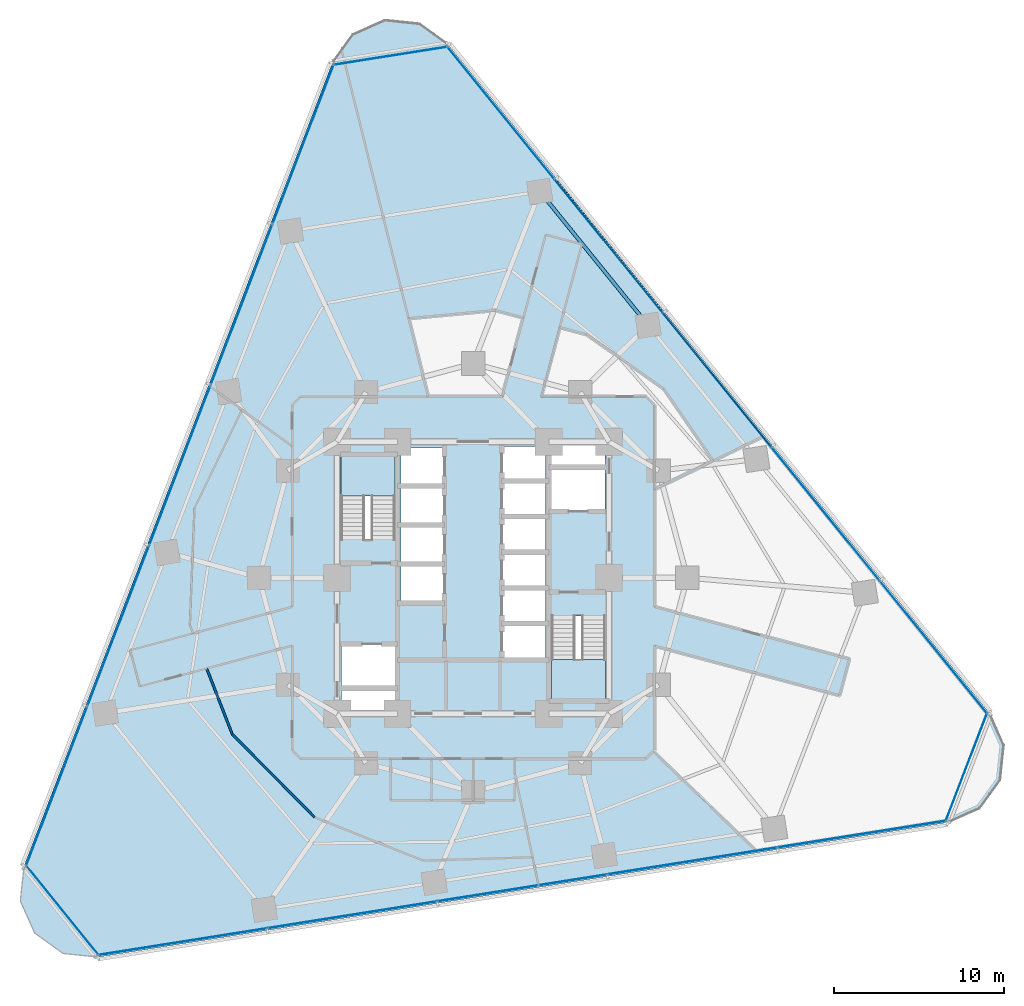
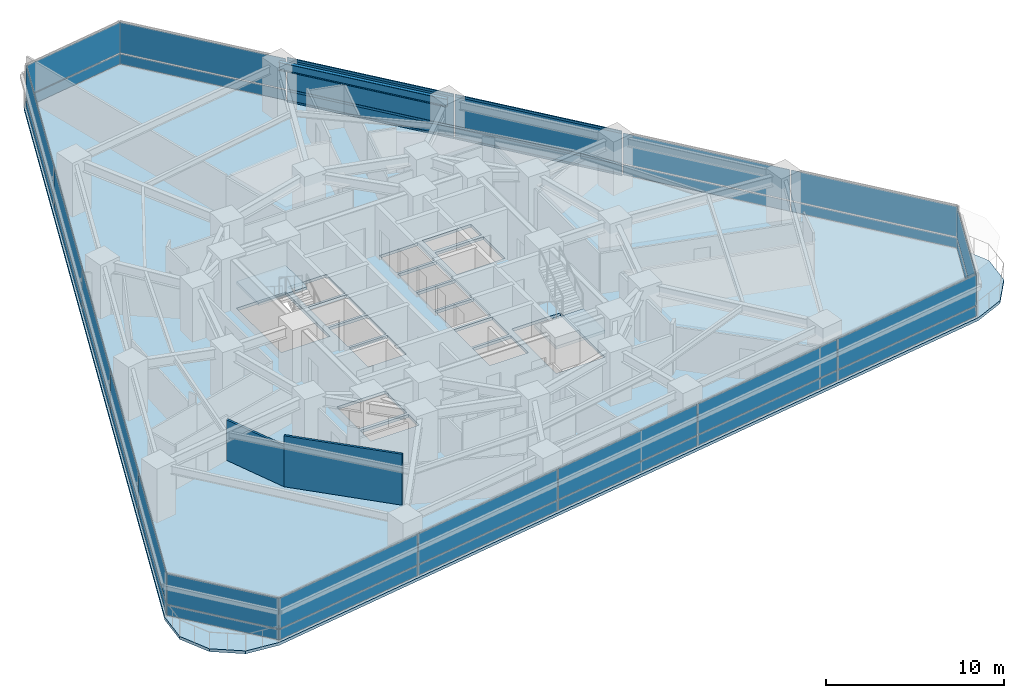
# One storey, part 6 of 14: 36 plates, 6 members, 3 slabs, 2 walls, 1 beam, 8 elements without a shape of their own.
"""IFC4 building model written with IfcOpenShell, lengths in metres."""

import ifcopenshell
import ifcopenshell.guid

model = None  # the IFC model being written
_history = None  # IfcOwnerHistory: only IFC2X3 demands one
_inside = {}  # id of a spatial element -> (the spatial element, [elements in it])
_under = {}  # id of a project, library or spatial element -> (it, [spatial elements below it])
_declared = {}  # id of a project -> (the project, [libraries it declares])
_typed = {}  # id of a type object -> (the type object, [elements of that type])
_made_of = {}  # id of a material, layer set ... -> (it, [elements and type objects made of it])


def new_model(schema):
    """Start an empty IFC model of exactly this schema.

    Asked for "IFC4X3", IfcOpenShell would pick the latest addendum, in which some entities
    have other attributes; the version numbers below select the first issue.
    IFC2X3 requires an IfcOwnerHistory on every rooted entity: one is made here for all.
    """
    global model, _history
    if schema == "IFC4X3":
        model = ifcopenshell.file(schema_version=(4, 3, 0, 0))
    else:
        model = ifcopenshell.file(schema=schema)
    _inside.clear()
    _under.clear()
    _declared.clear()
    _typed.clear()
    _made_of.clear()
    _history = None
    if model.schema == "IFC2X3":
        org = make("IfcOrganization", Name="unknown")
        user = make(
            "IfcPersonAndOrganization",
            ThePerson=make("IfcPerson", FamilyName="unknown"),
            TheOrganization=org,
        )
        app = make(
            "IfcApplication",
            ApplicationDeveloper=org,
            Version="unknown",
            ApplicationFullName="unknown",
            ApplicationIdentifier="unknown",
        )
        _history = make(
            "IfcOwnerHistory",
            OwningUser=user,
            OwningApplication=app,
            ChangeAction="ADDED",
            CreationDate=0,
        )
    return model


def make(cls, **values):
    """One entity of the class cls with the attributes given. An attribute that is None is left unset."""
    return model.create_entity(
        cls, **{name: value for name, value in values.items() if value is not None}
    )


def rooted(cls, **values):
    """An entity with a GlobalId (a new one), such as an element, a storey or a relation."""
    return make(cls, GlobalId=ifcopenshell.guid.new(), OwnerHistory=_history, **values)


def si_unit(unit_type, name, prefix=None):
    """IfcSIUnit, for example si_unit("LENGTHUNIT", "METRE", prefix="MILLI")."""
    return make("IfcSIUnit", UnitType=unit_type, Prefix=prefix, Name=name)


def assignment(units):
    """IfcUnitAssignment: the units of a project."""
    return None if units is None else make("IfcUnitAssignment", Units=units)


def point(xyz):
    """IfcCartesianPoint."""
    return None if xyz is None else make("IfcCartesianPoint", Coordinates=xyz)


def direction(xyz):
    """IfcDirection."""
    return None if xyz is None else make("IfcDirection", DirectionRatios=xyz)


def frame(location, z_axis=None, x_axis=None):
    """IfcAxis2Placement3D, a coordinate frame: its origin and axes. An axis left out is left unset."""
    return make(
        "IfcAxis2Placement3D",
        Location=point(location),
        Axis=direction(z_axis),
        RefDirection=direction(x_axis),
    )


def frame_2d(location, x_axis=None):
    """IfcAxis2Placement2D, a coordinate frame in the plane: its origin and x axis."""
    return make(
        "IfcAxis2Placement2D", Location=point(location), RefDirection=direction(x_axis)
    )


def origin():
    """The frame at (0, 0, 0) with its axes left unset."""
    return frame((0.0, 0.0, 0.0))


def origin_2d():
    """The frame at (0, 0) in the plane with its x axis left unset."""
    return frame_2d((0.0, 0.0))


def place(relative_to, where):
    """IfcLocalPlacement: puts the frame where relative to a parent placement (None: the world)."""
    return make(
        "IfcLocalPlacement", PlacementRelTo=relative_to, RelativePlacement=where
    )


def context(
    kind, dimensions, precision=None, world=None, true_north=None, identifier=None
):
    """IfcGeometricRepresentationContext, for example the 3D "Model" context."""
    return make(
        "IfcGeometricRepresentationContext",
        ContextIdentifier=identifier,
        ContextType=kind,
        CoordinateSpaceDimension=dimensions,
        Precision=precision,
        WorldCoordinateSystem=world,
        TrueNorth=true_north,
    )


def subcontext(parent, identifier, kind, view, scale=None):
    """IfcGeometricRepresentationSubContext, for example "Body" below "Model"."""
    return make(
        "IfcGeometricRepresentationSubContext",
        ContextIdentifier=identifier,
        ContextType=kind,
        ParentContext=parent,
        TargetScale=scale,
        TargetView=view,
    )


def project(units=None, contexts=None):
    """IfcProject with its units and contexts."""
    return rooted(
        "IfcProject",
        Name="project",
        RepresentationContexts=contexts,
        UnitsInContext=assignment(units),
    )


def spatial(cls, under=None, at=None, **own):
    """A site, building, storey or space (cls), placed at a placement, below another one or the project."""
    s = rooted(cls, ObjectPlacement=at, **own)
    if under is not None:
        _under.setdefault(under.id(), (under, []))[1].append(s)
    return s


def polyline(points):
    """IfcPolyline through the points."""
    return make("IfcPolyline", Points=[point(p) for p in points])


def profile(cls, at=None, kind="AREA", **sizes):
    """A parametric profile (cls). Its sizes go by their IFC names, for example OverallWidth=200.0."""
    return make(cls, ProfileType=kind, Position=at, **sizes)


def rectangle(**sizes):
    """IfcRectangleProfileDef."""
    return profile("IfcRectangleProfileDef", **sizes)


def i_section(**sizes):
    """IfcIShapeProfileDef."""
    return profile("IfcIShapeProfileDef", **sizes)


def outline(outer, holes=None, kind="AREA"):
    """IfcArbitraryClosedProfileDef: a profile drawn as a closed curve; with holes, ...WithVoids."""
    if holes is None:
        return make("IfcArbitraryClosedProfileDef", ProfileType=kind, OuterCurve=outer)
    return make(
        "IfcArbitraryProfileDefWithVoids",
        ProfileType=kind,
        OuterCurve=outer,
        InnerCurves=holes,
    )


def extrude(swept, where, along, depth):
    """IfcExtrudedAreaSolid: the profile swept, set in the frame where, extruded along a direction by depth."""
    return make(
        "IfcExtrudedAreaSolid",
        SweptArea=swept,
        Position=where,
        ExtrudedDirection=direction(along),
        Depth=depth,
    )


def shape(context_of_items, identifier, shape_type, items):
    """IfcShapeRepresentation: the items that make up one representation, for example the "Body"."""
    return make(
        "IfcShapeRepresentation",
        ContextOfItems=context_of_items,
        RepresentationIdentifier=identifier,
        RepresentationType=shape_type,
        Items=items,
    )


def material(Name=None, Category=None):
    """IfcMaterial."""
    return make("IfcMaterial", Name=Name, Category=Category)


def layer(
    of_material, thickness, ventilated=None, Name=None, Category=None, Priority=None
):
    """IfcMaterialLayer: one layer of a wall or slab, of a material (None: an air gap)."""
    return make(
        "IfcMaterialLayer",
        Material=of_material,
        LayerThickness=thickness,
        IsVentilated=ventilated,
        Name=Name,
        Category=Category,
        Priority=Priority,
    )


def layer_set(layers, Name=None):
    """IfcMaterialLayerSet."""
    return make("IfcMaterialLayerSet", MaterialLayers=layers, LayerSetName=Name)


def material_profile(
    of_material, cross_section, Name=None, Category=None, Priority=None
):
    """IfcMaterialProfile: a cross section and its material."""
    return make(
        "IfcMaterialProfile",
        Name=Name,
        Material=of_material,
        Profile=cross_section,
        Priority=Priority,
        Category=Category,
    )


def profile_set(profiles, Name=None, composite=None):
    """IfcMaterialProfileSet."""
    return make(
        "IfcMaterialProfileSet",
        Name=Name,
        MaterialProfiles=profiles,
        CompositeProfile=composite,
    )


def made_of(thing, what):
    """Note that an element or type object is made of a material, layer set ...; save() writes the relation."""
    if what is not None:
        _made_of.setdefault(what.id(), (what, []))[1].append(thing)
    return thing


def type_object(cls, material=None, **own):
    """A type object (cls), such as IfcWallType, which elements share."""
    return made_of(rooted(cls, **own), material)


def element(
    cls,
    number,
    at=None,
    inside=None,
    cuts=None,
    type_object=None,
    material=None,
    context=None,
    identifier="Body",
    shape_type=None,
    held_by="IfcProductDefinitionShape",
    body=None,
    shapes=None,
    **own,
):
    """One element of the class cls, such as IfcWall. Its Tag is "e" and its number.

    at: its placement. inside: the storey or other place that contains it. cuts: it is an
    opening in that element (IfcRelVoidsElement). A single representation is given by context,
    identifier, shape_type and body (its items); several are given by shapes. held_by: the class
    of the entity that holds the representations. save() writes the other relations.
    """
    e = rooted(cls, Tag="e%d" % number, ObjectPlacement=at, **own)
    if body is not None:
        shapes = [shape(context, identifier, shape_type, body)]
    if shapes is not None:
        e.Representation = make(held_by, Representations=shapes)
    if inside is not None:
        _inside.setdefault(inside.id(), (inside, []))[1].append(e)
    if cuts is not None:
        rooted(
            "IfcRelVoidsElement", RelatingBuildingElement=cuts, RelatedOpeningElement=e
        )
    if type_object is not None:
        _typed.setdefault(type_object.id(), (type_object, []))[1].append(e)
    return made_of(e, material)


def aggregate(whole, parts):
    """IfcRelAggregates: a whole, such as a stair, and the parts it consists of."""
    return rooted("IfcRelAggregates", RelatingObject=whole, RelatedObjects=parts)


def save(model, path):
    """Write the relations noted so far, then the file.

    IfcRelAggregates (storeys below a building ...), IfcRelContainedInSpatialStructure (elements
    in a storey), IfcRelDefinesByType, IfcRelAssociatesMaterial and IfcRelDeclares: one each for
    every whole, place, type object, material and project.
    """
    for whole, parts in _under.values():
        aggregate(whole, parts)
    for where, things in _inside.values():
        rooted(
            "IfcRelContainedInSpatialStructure",
            RelatedElements=things,
            RelatingStructure=where,
        )
    for kind, things in _typed.values():
        rooted("IfcRelDefinesByType", RelatedObjects=things, RelatingType=kind)
    for what, things in _made_of.values():
        rooted("IfcRelAssociatesMaterial", RelatedObjects=things, RelatingMaterial=what)
    for by, libraries in _declared.values():
        rooted("IfcRelDeclares", RelatingContext=by, RelatedDefinitions=libraries)
    model.write(path)


model = new_model("IFC4")

# Units and contexts
model_context = context("Model", 3, precision=1e-05, world=origin(), true_north=direction((0.0, 1.0)))
body_context = subcontext(model_context, "Body", "Model", "MODEL_VIEW")
ifc_project = project(units=[si_unit("LENGTHUNIT", "METRE"), si_unit("AREAUNIT", "SQUARE_METRE"), si_unit("VOLUMEUNIT", "CUBIC_METRE"), si_unit("PLANEANGLEUNIT", "RADIAN"), si_unit("MASSUNIT", "GRAM", prefix="KILO")], contexts=[model_context])

# Site, building, storey
site_placement = place(None, origin())
site = spatial("IfcSite", under=ifc_project, at=site_placement, CompositionType="ELEMENT")
building_placement = place(site_placement, origin())
building = spatial("IfcBuilding", under=site, at=building_placement, Name="Terralouvre Media Tower", CompositionType="ELEMENT")
storey_placement = place(building_placement, frame((0.0, 0.0, 74.10009765625)))
storey = spatial("IfcBuildingStorey", under=building, at=storey_placement, Name="L18", CompositionType="ELEMENT", Elevation=74.10009765625)

# Curtain wall, members
ifc_material_1 = material(Name="Low-iron laminated double glazing with solar-control coating", Category="glass")
ifc_layer_1 = layer(ifc_material_1, 0.1650390625, Name="Lower Media Tower Unitised Curtain Wall CW-02")
ifc_layer_set_1 = layer_set([ifc_layer_1], Name="Low-iron laminated double glazing with solar-control coating")
curtain_wall_type_1 = type_object("IfcCurtainWallType", Name="Lower Media Tower Unitised Curtain Wall CW-02", PredefinedType="NOTDEFINED", material=ifc_layer_set_1)
curtain_wall_1_placement = place(storey_placement, origin())
curtain_wall_1 = element("IfcCurtainWall", 1, at=curtain_wall_1_placement, inside=storey, type_object=curtain_wall_type_1, Name="L18 Facade Curtain Wall F1", PredefinedType="NOTDEFINED")
ifc_material_2 = material(Name="Anodised extruded aluminium 6063-T6", Category="aluminium")
ifc_material_profile_1 = material_profile(ifc_material_2, rectangle(XDim=0.074951171875, YDim=0.14990234375, at=origin_2d()), Name="ALU 75x150")
ifc_profile_set_1 = profile_set([ifc_material_profile_1], Name="Anodised extruded aluminium 6063-T6")
member_type = type_object("IfcMemberType", Name="Curtain-Wall Horizontal Transom TR-150", PredefinedType="USERDEFINED", material=ifc_profile_set_1)
member_1_placement = place(storey_placement, frame((17.523681640625, 7.72265625, 0.037353515625), z_axis=(-0.629319084722, 0.777147019299, 0.0), x_axis=(-0.777147019299, -0.629319084722, 0.0)))
member_1 = element("IfcMember", 2, at=member_1_placement, type_object=member_type, Name="CW-02 transom 3.1", ObjectType="TRANSOM", PredefinedType="USERDEFINED", context=body_context, shape_type="SweptSolid", body=[
    extrude(rectangle(XDim=0.074951171875, YDim=0.14990234375, at=origin_2d()), origin(), (0.0, 0.0, 1.0), 10.052734375),
])
member_2_placement = place(storey_placement, frame((17.523681640625, 7.72265625, 0.7998046875), z_axis=(-0.629319084722, 0.777147019299, 0.0), x_axis=(-0.777147019299, -0.629319084722, 0.0)))
member_2 = element("IfcMember", 3, at=member_2_placement, type_object=member_type, Name="CW-02 transom 3.2", ObjectType="TRANSOM", PredefinedType="USERDEFINED", context=body_context, shape_type="SweptSolid", body=[
    extrude(rectangle(XDim=0.074951171875, YDim=0.14990234375, at=origin_2d()), origin(), (0.0, 0.0, 1.0), 10.052734375),
])
member_3_placement = place(storey_placement, frame((17.523681640625, 7.72265625, 2.96240234375), z_axis=(-0.629319084722, 0.777147019299, 0.0), x_axis=(-0.777147019299, -0.629319084722, 0.0)))
member_3 = element("IfcMember", 4, at=member_3_placement, type_object=member_type, Name="CW-02 transom 3.3", ObjectType="TRANSOM", PredefinedType="USERDEFINED", context=body_context, shape_type="SweptSolid", body=[
    extrude(rectangle(XDim=0.074951171875, YDim=0.14990234375, at=origin_2d()), origin(), (0.0, 0.0, 1.0), 10.052734375),
])
member_4_placement = place(storey_placement, frame((11.14990234375, 15.593505859375, 0.037353515625), z_axis=(-0.629307207311, 0.777156637253, 0.0), x_axis=(-0.777156637253, -0.629307207311, 0.0)))
member_4 = element("IfcMember", 5, at=member_4_placement, type_object=member_type, Name="CW-02 transom 4.1", ObjectType="TRANSOM", PredefinedType="USERDEFINED", context=body_context, shape_type="SweptSolid", body=[
    extrude(rectangle(XDim=0.074951171875, YDim=0.14990234375, at=origin_2d()), origin(), (0.0, 0.0, 1.0), 10.052978515625),
])
member_5_placement = place(storey_placement, frame((11.14990234375, 15.593505859375, 0.7998046875), z_axis=(-0.629307207311, 0.777156637253, 0.0), x_axis=(-0.777156637253, -0.629307207311, 0.0)))
member_5 = element("IfcMember", 6, at=member_5_placement, type_object=member_type, Name="CW-02 transom 4.2", ObjectType="TRANSOM", PredefinedType="USERDEFINED", context=body_context, shape_type="SweptSolid", body=[
    extrude(rectangle(XDim=0.074951171875, YDim=0.14990234375, at=origin_2d()), origin(), (0.0, 0.0, 1.0), 10.052978515625),
])
member_6_placement = place(storey_placement, frame((11.14990234375, 15.593505859375, 2.96240234375), z_axis=(-0.629307207311, 0.777156637253, 0.0), x_axis=(-0.777156637253, -0.629307207311, 0.0)))
member_6 = element("IfcMember", 7, at=member_6_placement, type_object=member_type, Name="CW-02 transom 4.3", ObjectType="TRANSOM", PredefinedType="USERDEFINED", context=body_context, shape_type="SweptSolid", body=[
    extrude(rectangle(XDim=0.074951171875, YDim=0.14990234375, at=origin_2d()), origin(), (0.0, 0.0, 1.0), 10.052978515625),
])

# Beam
ifc_material_3 = material(Name="Structural steel S355J2", Category="steel")
ifc_material_profile_2 = material_profile(ifc_material_3, i_section(OverallWidth=0.2099609375, OverallDepth=0.550048828125, WebThickness=0.010986328125, FlangeThickness=0.01708984375, at=origin_2d()), Name="IPE 550")
ifc_profile_set_2 = profile_set([ifc_material_profile_2], Name="Structural steel S355J2")
beam_type = type_object("IfcBeamType", Name="Perimeter Spandrel Beam SPB-550 (IPE 550)", PredefinedType="SPANDREL", material=ifc_profile_set_2)
beam_placement = place(storey_placement, frame((10.29541015625, 14.853271484375, 3.21484375), z_axis=(-0.629325814949, 0.777141569239, 0.0), x_axis=(-0.777141569239, -0.629325814949, 0.0)))
element("IfcBeam", 8, at=beam_placement, inside=storey, type_object=beam_type, Name="L18 Framing Beam BM-L18-PR08", PredefinedType="SPANDREL", context=body_context, shape_type="SweptSolid", body=[
    extrude(i_section(OverallWidth=0.2099609375, OverallDepth=0.550048828125, WebThickness=0.010986328125, FlangeThickness=0.01708984375, at=origin_2d()), origin(), (0.0, 0.0, 1.0), 10.1279296875),
])

# Slab
ifc_material_4 = material(Name="Concrete C40/50", Category="concrete")
ifc_layer_2 = layer(ifc_material_4, 0.199951171875, Name="Composite Tower Floor Slab S-TYP200")
ifc_layer_set_2 = layer_set([ifc_layer_2], Name="Concrete C40/50")
slab_type_1 = type_object("IfcSlabType", Name="Composite Tower Floor Slab S-TYP200", PredefinedType="FLOOR", material=ifc_layer_set_2)
slab_1_placement = place(storey_placement, frame((0.0, 0.0, -0.2001953125), z_axis=(0.0, 0.0, 1.0), x_axis=(0.987688340595, 0.15643446504, 0.0)))
element("IfcSlab", 9, at=slab_1_placement, inside=storey, type_object=slab_type_1, Name="L18 Structural Floor Slab", PredefinedType="FLOOR", context=body_context, shape_type="SweptSolid", body=[
    extrude(outline(polyline([(-28.766845703125, -12.62841796875), (-29.300048828125, -14.618408203125), (-28.766845703125, -16.6083984375), (-27.31005859375, -18.065185546875), (-25.320068359375, -18.598388671875), (25.320068359375, -18.598388671875), (27.31005859375, -18.065185546875), (28.766845703125, -16.6083984375), (29.300048828125, -14.618408203125), (28.766845703125, -12.62841796875), (3.44677734375, 31.22705078125), (1.989990234375, 32.683837890625), (0.0, 33.217041015625), (-1.989990234375, 32.683837890625), (-3.44677734375, 31.22705078125), (-28.766845703125, -12.62841796875)]), holes=[polyline([(-5.763671875, -6.984375), (-8.874755859375, -6.49169921875), (-8.68701171875, -5.306396484375), (-5.575927734375, -5.799072265625), (-5.763671875, -6.984375)]), polyline([(-5.54443359375, -5.6015625), (-8.65576171875, -5.10888671875), (-8.2724609375, -2.68896484375), (-5.161376953125, -3.181884765625), (-5.54443359375, -5.6015625)]), polyline([(-1.95068359375, -1.128662109375), (-4.419921875, -0.73779296875), (-4.0849609375, 1.3759765625), (-1.61572265625, 0.98486328125), (-1.95068359375, -1.128662109375)]), polyline([(-1.5908203125, 1.142822265625), (-4.06005859375, 1.533935546875), (-3.725341796875, 3.647705078125), (-1.256103515625, 3.256591796875), (-1.5908203125, 1.142822265625)]), polyline([(4.44482421875, 0.895751953125), (1.9755859375, 1.286865234375), (2.279052734375, 3.202880859375), (4.748291015625, 2.811767578125), (4.44482421875, 0.895751953125)]), polyline([(-1.23095703125, 3.41455078125), (-3.7001953125, 3.8056640625), (-3.365478515625, 5.91943359375), (-0.896240234375, 5.5283203125), (-1.23095703125, 3.41455078125)]), polyline([(-4.192138671875, 2.93701171875), (-7.3330078125, 3.434326171875), (-6.548583984375, 8.3876953125), (-3.40771484375, 7.89013671875), (-4.192138671875, 2.93701171875)]), polyline([(-0.87109375, 5.686279296875), (-3.34033203125, 6.077392578125), (-3.005615234375, 8.19091796875), (-0.536376953125, 7.800048828125), (-0.87109375, 5.686279296875)]), polyline([(4.192138671875, -2.93701171875), (7.3330078125, -3.434326171875), (6.548583984375, -8.3876953125), (3.40771484375, -7.89013671875), (4.192138671875, -2.93701171875)]), polyline([(3.459228515625, -5.32666015625), (0.989990234375, -4.935546875), (1.29345703125, -3.01953125), (3.7626953125, -3.41064453125), (3.459228515625, -5.32666015625)]), polyline([(3.787841796875, -3.252685546875), (1.318603515625, -2.861572265625), (1.6220703125, -0.9453125), (4.09130859375, -1.33642578125), (3.787841796875, -3.252685546875)]), polyline([(4.1162109375, -1.178466796875), (1.647216796875, -0.787353515625), (1.95068359375, 1.128662109375), (4.419921875, 0.73779296875), (4.1162109375, -1.178466796875)]), polyline([(4.7734375, 2.9697265625), (2.30419921875, 3.36083984375), (2.607666015625, 5.277099609375), (5.076904296875, 4.885986328125), (4.7734375, 2.9697265625)]), polyline([(8.2724609375, 2.68896484375), (5.161376953125, 3.181884765625), (5.54443359375, 5.6015625), (8.65576171875, 5.10888671875), (8.2724609375, 2.68896484375)]), polyline([(5.101806640625, 5.0439453125), (2.632568359375, 5.43505859375), (2.93603515625, 7.35107421875), (5.4052734375, 6.960205078125), (5.101806640625, 5.0439453125)]), polyline([(8.68701171875, 5.306396484375), (5.575927734375, 5.799072265625), (5.763671875, 6.984375), (8.874755859375, 6.49169921875), (8.68701171875, 5.306396484375)])]), origin(), (0.0, 0.0, 1.0), 0.2001953125),
])

# Stair, slab
ifc_material_5 = material(Name="Concrete C45/55", Category="concrete")
stair_type_1 = type_object("IfcStairType", Name="Dogleg Stair Assembly ST-01", PredefinedType="HALF_TURN_STAIR", material=ifc_material_5)
stair_1_placement = place(storey_placement, origin())
stair_1 = element("IfcStair", 10, at=stair_1_placement, inside=storey, type_object=stair_type_1, Name="L18 Core Pressurised Exit Stair ST-01", PredefinedType="HALF_TURN_STAIR")
ifc_material_6 = material(Name="Concrete C45/55", Category="concrete")
ifc_layer_3 = layer(ifc_material_6, 0.199951171875, Name="Reinforced Concrete Stair Half-Landing SL-LD1")
ifc_layer_set_3 = layer_set([ifc_layer_3], Name="Concrete C45/55")
slab_type_2 = type_object("IfcSlabType", Name="Reinforced Concrete Stair Half-Landing SL-LD1", PredefinedType="LANDING", material=ifc_layer_set_3)
slab_2_placement = place(storey_placement, frame((0.0, 0.0, 1.64990234375)))
slab_2 = element("IfcSlab", 11, at=slab_2_placement, type_object=slab_type_2, Name="ST-01 landing 1", PredefinedType="LANDING", context=body_context, shape_type="SweptSolid", body=[
    extrude(outline(polyline([(-4.60009765625, 4.820068359375), (-4.60009765625, 7.260009765625), (-7.780029296875, 7.260009765625), (-7.780029296875, 4.820068359375), (-4.60009765625, 4.820068359375)])), origin(), (0.0, 0.0, 1.0), 0.199951171875),
])
aggregate(stair_1, [slab_2])

ifc_material_7 = material(Name="Concrete C45/55", Category="concrete")
stair_type_2 = type_object("IfcStairType", Name="Dogleg Stair Assembly ST-02", PredefinedType="HALF_TURN_STAIR", material=ifc_material_7)
stair_2_placement = place(storey_placement, origin())
stair_2 = element("IfcStair", 12, at=stair_2_placement, inside=storey, type_object=stair_type_2, Name="L18 Core Pressurised Exit Stair ST-02", PredefinedType="HALF_TURN_STAIR")
slab_3_placement = place(storey_placement, frame((0.0, 0.0, 1.64990234375)))
slab_3 = element("IfcSlab", 13, at=slab_3_placement, type_object=slab_type_2, Name="ST-02 landing 1", PredefinedType="LANDING", context=body_context, shape_type="SweptSolid", body=[
    extrude(outline(polyline([(4.60009765625, -4.820068359375), (4.60009765625, -7.260009765625), (7.780029296875, -7.260009765625), (7.780029296875, -4.820068359375), (4.60009765625, -4.820068359375)])), origin(), (0.0, 0.0, 1.0), 0.199951171875),
])
aggregate(stair_2, [slab_3])

# Curtain wall, plates
ifc_material_8 = material(Name="Low-iron laminated double glazing with solar-control coating", Category="glass")
ifc_layer_4 = layer(ifc_material_8, 0.1650390625, Name="Rounded Wind-Corner Curved Glazing CW-04")
ifc_layer_set_4 = layer_set([ifc_layer_4], Name="Low-iron laminated double glazing with solar-control coating")
curtain_wall_type_2 = type_object("IfcCurtainWallType", Name="Rounded Wind-Corner Curved Glazing CW-04", PredefinedType="NOTDEFINED", material=ifc_layer_set_4)
curtain_wall_2_placement = place(storey_placement, origin())
curtain_wall_2 = element("IfcCurtainWall", 14, at=curtain_wall_2_placement, inside=storey, type_object=curtain_wall_type_2, Name="L18 Rounded Wind-Corner Curtain Wall C0", PredefinedType="NOTDEFINED")
ifc_material_9 = material(Name="Low-iron laminated double glazing with solar-control coating", Category="glass")
ifc_layer_5 = layer(ifc_material_9, 0.0400390625, Name="Rounded Corner Laminated Vision Panel CWP-03")
ifc_layer_set_5 = layer_set([ifc_layer_5], Name="Low-iron laminated double glazing with solar-control coating")
plate_type_1 = type_object("IfcPlateType", Name="Rounded Corner Laminated Vision Panel CWP-03", PredefinedType="CURTAIN_PANEL", material=ifc_layer_set_5)
plate_1_placement = place(storey_placement, frame((-24.1591796875, -19.563720703125, 0.074951171875), z_axis=(0.0, 0.0, 1.0), x_axis=(0.629320031936, -0.777146252262, 0.0)))
plate_1 = element("IfcPlate", 15, at=plate_1_placement, type_object=plate_type_1, Name="CW-04 panel 1.1", PredefinedType="CURTAIN_PANEL", context=body_context, shape_type="SweptSolid", body=[
    extrude(rectangle(XDim=6.74365234375, YDim=0.035888671875, at=origin_2d()), origin(), (0.0, 0.0, 1.0), 0.6875),
])
plate_2_placement = place(storey_placement, frame((-24.1591796875, -19.563720703125, 0.83740234375), z_axis=(0.0, 0.0, 1.0), x_axis=(0.629320031936, -0.777146252262, 0.0)))
plate_2 = element("IfcPlate", 16, at=plate_2_placement, type_object=plate_type_1, Name="CW-04 panel 1.2", PredefinedType="CURTAIN_PANEL", context=body_context, shape_type="SweptSolid", body=[
    extrude(rectangle(XDim=6.74365234375, YDim=0.035888671875, at=origin_2d()), origin(), (0.0, 0.0, 1.0), 2.08740234375),
])
aggregate(curtain_wall_2, [plate_1, plate_2])

curtain_wall_3_placement = place(storey_placement, origin())
curtain_wall_3 = element("IfcCurtainWall", 17, at=curtain_wall_3_placement, inside=storey, type_object=curtain_wall_type_2, Name="L18 Rounded Wind-Corner Curtain Wall C1", PredefinedType="NOTDEFINED")
plate_3_placement = place(storey_placement, frame((29.022216796875, -11.140625, 0.074951171875), z_axis=(0.0, 0.0, 1.0), x_axis=(0.358367472863, 0.933580609478, 0.0)))
plate_3 = element("IfcPlate", 18, at=plate_3_placement, type_object=plate_type_1, Name="CW-04 panel 1.1", PredefinedType="CURTAIN_PANEL", context=body_context, shape_type="SweptSolid", body=[
    extrude(rectangle(XDim=6.74365234375, YDim=0.035888671875, at=origin_2d()), origin(), (0.0, 0.0, 1.0), 0.6875),
])
plate_4_placement = place(storey_placement, frame((29.022216796875, -11.140625, 0.83740234375), z_axis=(0.0, 0.0, 1.0), x_axis=(0.358367472863, 0.933580609478, 0.0)))
plate_4 = element("IfcPlate", 19, at=plate_4_placement, type_object=plate_type_1, Name="CW-04 panel 1.2", PredefinedType="CURTAIN_PANEL", context=body_context, shape_type="SweptSolid", body=[
    extrude(rectangle(XDim=6.74365234375, YDim=0.035888671875, at=origin_2d()), origin(), (0.0, 0.0, 1.0), 2.08740234375),
])
aggregate(curtain_wall_3, [plate_3, plate_4])

curtain_wall_4_placement = place(storey_placement, origin())
curtain_wall_4 = element("IfcCurtainWall", 20, at=curtain_wall_4_placement, inside=storey, type_object=curtain_wall_type_2, Name="L18 Rounded Wind-Corner Curtain Wall C2", PredefinedType="NOTDEFINED")
plate_5_placement = place(storey_placement, frame((-4.863037109375, 30.704345703125, 0.074951171875), z_axis=(0.0, 0.0, 1.0), x_axis=(-0.987688353034, -0.156434386502, 0.0)))
plate_5 = element("IfcPlate", 21, at=plate_5_placement, type_object=plate_type_1, Name="CW-04 panel 1.1", PredefinedType="CURTAIN_PANEL", context=body_context, shape_type="SweptSolid", body=[
    extrude(rectangle(XDim=6.74365234375, YDim=0.035888671875, at=origin_2d()), origin(), (0.0, 0.0, 1.0), 0.6875),
])
plate_6_placement = place(storey_placement, frame((-4.863037109375, 30.704345703125, 0.83740234375), z_axis=(0.0, 0.0, 1.0), x_axis=(-0.987688353034, -0.156434386502, 0.0)))
plate_6 = element("IfcPlate", 22, at=plate_6_placement, type_object=plate_type_1, Name="CW-04 panel 1.2", PredefinedType="CURTAIN_PANEL", context=body_context, shape_type="SweptSolid", body=[
    extrude(rectangle(XDim=6.74365234375, YDim=0.035888671875, at=origin_2d()), origin(), (0.0, 0.0, 1.0), 2.08740234375),
])
aggregate(curtain_wall_4, [plate_5, plate_6])

curtain_wall_5_placement = place(storey_placement, origin())
curtain_wall_5 = element("IfcCurtainWall", 23, at=curtain_wall_5_placement, inside=storey, type_object=curtain_wall_type_1, Name="L18 Facade Curtain Wall F0", PredefinedType="NOTDEFINED")
ifc_material_10 = material(Name="Low-iron laminated double glazing with solar-control coating", Category="glass")
ifc_layer_6 = layer(ifc_material_10, 0.035888671875, Name="Vision Double-Glazed Unit CWP-01")
ifc_layer_set_6 = layer_set([ifc_layer_6], Name="Low-iron laminated double glazing with solar-control coating")
plate_type_2 = type_object("IfcPlateType", Name="Vision Double-Glazed Unit CWP-01", PredefinedType="CURTAIN_PANEL", material=ifc_layer_set_6)
plate_7_placement = place(storey_placement, frame((-17.097412109375, -21.416748046875, 0.074951171875), z_axis=(0.0, 0.0, 1.0), x_axis=(0.987688340934, 0.156434462903, 0.0)))
plate_7 = element("IfcPlate", 24, at=plate_7_placement, type_object=plate_type_2, Name="CW-02 panel 1.1", PredefinedType="CURTAIN_PANEL", context=body_context, shape_type="SweptSolid", body=[
    extrude(rectangle(XDim=10.015380859375, YDim=0.035888671875, at=origin_2d()), origin(), (0.0, 0.0, 1.0), 0.6875),
])
plate_8_placement = place(storey_placement, frame((-17.097412109375, -21.416748046875, 0.83740234375), z_axis=(0.0, 0.0, 1.0), x_axis=(0.987688340934, 0.156434462903, 0.0)))
plate_8 = element("IfcPlate", 25, at=plate_8_placement, type_object=plate_type_2, Name="CW-02 panel 1.2", PredefinedType="CURTAIN_PANEL", context=body_context, shape_type="SweptSolid", body=[
    extrude(rectangle(XDim=10.015380859375, YDim=0.035888671875, at=origin_2d()), origin(), (0.0, 0.0, 1.0), 2.08740234375),
])
plate_9_placement = place(storey_placement, frame((-7.112548828125, -19.83544921875, 0.074951171875), z_axis=(0.0, 0.0, 1.0), x_axis=(0.987688340934, 0.156434462903, 0.0)))
plate_9 = element("IfcPlate", 26, at=plate_9_placement, type_object=plate_type_2, Name="CW-02 panel 2.1", PredefinedType="CURTAIN_PANEL", context=body_context, shape_type="SweptSolid", body=[
    extrude(rectangle(XDim=10.052978515625, YDim=0.035888671875, at=origin_2d()), origin(), (0.0, 0.0, 1.0), 0.6875),
])
plate_10_placement = place(storey_placement, frame((-7.112548828125, -19.83544921875, 0.83740234375), z_axis=(0.0, 0.0, 1.0), x_axis=(0.987688340934, 0.156434462903, 0.0)))
plate_10 = element("IfcPlate", 27, at=plate_10_placement, type_object=plate_type_2, Name="CW-02 panel 2.2", PredefinedType="CURTAIN_PANEL", context=body_context, shape_type="SweptSolid", body=[
    extrude(rectangle(XDim=10.052978515625, YDim=0.035888671875, at=origin_2d()), origin(), (0.0, 0.0, 1.0), 2.08740234375),
])
plate_11_placement = place(storey_placement, frame((2.890625, -18.2509765625, 0.074951171875), z_axis=(0.0, 0.0, 1.0), x_axis=(0.987688340934, 0.156434462903, 0.0)))
plate_11 = element("IfcPlate", 28, at=plate_11_placement, type_object=plate_type_2, Name="CW-02 panel 3.1", PredefinedType="CURTAIN_PANEL", context=body_context, shape_type="SweptSolid", body=[
    extrude(rectangle(XDim=10.052978515625, YDim=0.035888671875, at=origin_2d()), origin(), (0.0, 0.0, 1.0), 0.6875),
])
plate_12_placement = place(storey_placement, frame((2.890625, -18.2509765625, 0.83740234375), z_axis=(0.0, 0.0, 1.0), x_axis=(0.987688340934, 0.156434462903, 0.0)))
plate_12 = element("IfcPlate", 29, at=plate_12_placement, type_object=plate_type_2, Name="CW-02 panel 3.2", PredefinedType="CURTAIN_PANEL", context=body_context, shape_type="SweptSolid", body=[
    extrude(rectangle(XDim=10.052978515625, YDim=0.035888671875, at=origin_2d()), origin(), (0.0, 0.0, 1.0), 2.08740234375),
])
plate_13_placement = place(storey_placement, frame((12.89404296875, -16.666748046875, 0.074951171875), z_axis=(0.0, 0.0, 1.0), x_axis=(0.987688340934, 0.156434462903, 0.0)))
plate_13 = element("IfcPlate", 30, at=plate_13_placement, type_object=plate_type_2, Name="CW-02 panel 4.1", PredefinedType="CURTAIN_PANEL", context=body_context, shape_type="SweptSolid", body=[
    extrude(rectangle(XDim=10.052978515625, YDim=0.035888671875, at=origin_2d()), origin(), (0.0, 0.0, 1.0), 0.6875),
])
plate_14_placement = place(storey_placement, frame((12.89404296875, -16.666748046875, 0.83740234375), z_axis=(0.0, 0.0, 1.0), x_axis=(0.987688340934, 0.156434462903, 0.0)))
plate_14 = element("IfcPlate", 31, at=plate_14_placement, type_object=plate_type_2, Name="CW-02 panel 4.2", PredefinedType="CURTAIN_PANEL", context=body_context, shape_type="SweptSolid", body=[
    extrude(rectangle(XDim=10.052978515625, YDim=0.035888671875, at=origin_2d()), origin(), (0.0, 0.0, 1.0), 2.08740234375),
])
plate_15_placement = place(storey_placement, frame((22.878662109375, -15.085205078125, 0.074951171875), z_axis=(0.0, 0.0, 1.0), x_axis=(0.987688340934, 0.156434462903, 0.0)))
plate_15 = element("IfcPlate", 32, at=plate_15_placement, type_object=plate_type_2, Name="CW-02 panel 5.1", PredefinedType="CURTAIN_PANEL", context=body_context, shape_type="SweptSolid", body=[
    extrude(rectangle(XDim=10.015380859375, YDim=0.035888671875, at=origin_2d()), origin(), (0.0, 0.0, 1.0), 0.6875),
])
plate_16_placement = place(storey_placement, frame((22.878662109375, -15.085205078125, 0.83740234375), z_axis=(0.0, 0.0, 1.0), x_axis=(0.987688340934, 0.156434462903, 0.0)))
plate_16 = element("IfcPlate", 33, at=plate_16_placement, type_object=plate_type_2, Name="CW-02 panel 5.2", PredefinedType="CURTAIN_PANEL", context=body_context, shape_type="SweptSolid", body=[
    extrude(rectangle(XDim=10.015380859375, YDim=0.035888671875, at=origin_2d()), origin(), (0.0, 0.0, 1.0), 2.08740234375),
])
aggregate(curtain_wall_5, [plate_7, plate_8, plate_9, plate_10, plate_11, plate_12, plate_13, plate_14, plate_15, plate_16])

# Plate
plate_17_placement = place(storey_placement, frame((27.09619140625, -4.098388671875, 0.074951171875), z_axis=(0.0, 0.0, 1.0), x_axis=(-0.629320350521, 0.777145994276, 0.0)))
plate_17 = element("IfcPlate", 34, at=plate_17_placement, type_object=plate_type_2, Name="CW-02 panel 1.1", PredefinedType="CURTAIN_PANEL", context=body_context, shape_type="SweptSolid", body=[
    extrude(rectangle(XDim=10.015380859375, YDim=0.035888671875, at=origin_2d()), origin(), (0.0, 0.0, 1.0), 0.6875),
])

plate_18_placement = place(storey_placement, frame((27.09619140625, -4.098388671875, 0.83740234375), z_axis=(0.0, 0.0, 1.0), x_axis=(-0.629320350521, 0.777145994276, 0.0)))
plate_18 = element("IfcPlate", 35, at=plate_18_placement, type_object=plate_type_2, Name="CW-02 panel 1.2", PredefinedType="CURTAIN_PANEL", context=body_context, shape_type="SweptSolid", body=[
    extrude(rectangle(XDim=10.015380859375, YDim=0.035888671875, at=origin_2d()), origin(), (0.0, 0.0, 1.0), 2.08740234375),
])

plate_19_placement = place(storey_placement, frame((20.734375, 3.758056640625, 0.074951171875), z_axis=(0.0, 0.0, 1.0), x_axis=(-0.629320350521, 0.777145994276, 0.0)))
plate_19 = element("IfcPlate", 36, at=plate_19_placement, type_object=plate_type_2, Name="CW-02 panel 2.1", PredefinedType="CURTAIN_PANEL", context=body_context, shape_type="SweptSolid", body=[
    extrude(rectangle(XDim=10.052978515625, YDim=0.035888671875, at=origin_2d()), origin(), (0.0, 0.0, 1.0), 0.6875),
])

plate_20_placement = place(storey_placement, frame((20.734375, 3.758056640625, 0.83740234375), z_axis=(0.0, 0.0, 1.0), x_axis=(-0.629320350521, 0.777145994276, 0.0)))
plate_20 = element("IfcPlate", 37, at=plate_20_placement, type_object=plate_type_2, Name="CW-02 panel 2.2", PredefinedType="CURTAIN_PANEL", context=body_context, shape_type="SweptSolid", body=[
    extrude(rectangle(XDim=10.052978515625, YDim=0.035888671875, at=origin_2d()), origin(), (0.0, 0.0, 1.0), 2.08740234375),
])

plate_21_placement = place(storey_placement, frame((14.360595703125, 11.62890625, 0.074951171875), z_axis=(0.0, 0.0, 1.0), x_axis=(-0.629320350521, 0.777145994276, 0.0)))
plate_21 = element("IfcPlate", 38, at=plate_21_placement, type_object=plate_type_2, Name="CW-02 panel 3.1", PredefinedType="CURTAIN_PANEL", context=body_context, shape_type="SweptSolid", body=[
    extrude(rectangle(XDim=10.052978515625, YDim=0.035888671875, at=origin_2d()), origin(), (0.0, 0.0, 1.0), 0.6875),
])

plate_22_placement = place(storey_placement, frame((14.360595703125, 11.62890625, 0.83740234375), z_axis=(0.0, 0.0, 1.0), x_axis=(-0.629320350521, 0.777145994276, 0.0)))
plate_22 = element("IfcPlate", 39, at=plate_22_placement, type_object=plate_type_2, Name="CW-02 panel 3.2", PredefinedType="CURTAIN_PANEL", context=body_context, shape_type="SweptSolid", body=[
    extrude(rectangle(XDim=10.052978515625, YDim=0.035888671875, at=origin_2d()), origin(), (0.0, 0.0, 1.0), 2.08740234375),
])

plate_23_placement = place(storey_placement, frame((7.98681640625, 19.499755859375, 0.074951171875), z_axis=(0.0, 0.0, 1.0), x_axis=(-0.629320350521, 0.777145994276, 0.0)))
plate_23 = element("IfcPlate", 40, at=plate_23_placement, type_object=plate_type_2, Name="CW-02 panel 4.1", PredefinedType="CURTAIN_PANEL", context=body_context, shape_type="SweptSolid", body=[
    extrude(rectangle(XDim=10.052978515625, YDim=0.035888671875, at=origin_2d()), origin(), (0.0, 0.0, 1.0), 0.6875),
])

plate_24_placement = place(storey_placement, frame((7.98681640625, 19.499755859375, 0.83740234375), z_axis=(0.0, 0.0, 1.0), x_axis=(-0.629320350521, 0.777145994276, 0.0)))
plate_24 = element("IfcPlate", 41, at=plate_24_placement, type_object=plate_type_2, Name="CW-02 panel 4.2", PredefinedType="CURTAIN_PANEL", context=body_context, shape_type="SweptSolid", body=[
    extrude(rectangle(XDim=10.052978515625, YDim=0.035888671875, at=origin_2d()), origin(), (0.0, 0.0, 1.0), 2.08740234375),
])

plate_25_placement = place(storey_placement, frame((1.624755859375, 27.356201171875, 0.074951171875), z_axis=(0.0, 0.0, 1.0), x_axis=(-0.629320350521, 0.777145994276, 0.0)))
plate_25 = element("IfcPlate", 42, at=plate_25_placement, type_object=plate_type_2, Name="CW-02 panel 5.1", PredefinedType="CURTAIN_PANEL", context=body_context, shape_type="SweptSolid", body=[
    extrude(rectangle(XDim=10.015380859375, YDim=0.035888671875, at=origin_2d()), origin(), (0.0, 0.0, 1.0), 0.6875),
])

plate_26_placement = place(storey_placement, frame((1.624755859375, 27.356201171875, 0.83740234375), z_axis=(0.0, 0.0, 1.0), x_axis=(-0.629320350521, 0.777145994276, 0.0)))
plate_26 = element("IfcPlate", 43, at=plate_26_placement, type_object=plate_type_2, Name="CW-02 panel 5.2", PredefinedType="CURTAIN_PANEL", context=body_context, shape_type="SweptSolid", body=[
    extrude(rectangle(XDim=10.015380859375, YDim=0.035888671875, at=origin_2d()), origin(), (0.0, 0.0, 1.0), 2.08740234375),
])

aggregate(curtain_wall_1, [plate_17, plate_18, plate_19, plate_20, member_1, member_2, member_3, plate_21, plate_22, member_4, member_5, member_6, plate_23, plate_24, plate_25, plate_26])

# Curtain wall, plates
curtain_wall_6_placement = place(storey_placement, origin())
curtain_wall_6 = element("IfcCurtainWall", 44, at=curtain_wall_6_placement, inside=storey, type_object=curtain_wall_type_1, Name="L18 Facade Curtain Wall F2", PredefinedType="NOTDEFINED")
plate_27_placement = place(storey_placement, frame((-9.998779296875, 25.51513671875, 0.074951171875), z_axis=(0.0, 0.0, 1.0), x_axis=(-0.358367917006, -0.933580438988, 0.0)))
plate_27 = element("IfcPlate", 45, at=plate_27_placement, type_object=plate_type_2, Name="CW-02 panel 1.1", PredefinedType="CURTAIN_PANEL", context=body_context, shape_type="SweptSolid", body=[
    extrude(rectangle(XDim=10.015380859375, YDim=0.035888671875, at=origin_2d()), origin(), (0.0, 0.0, 1.0), 0.6875),
])
plate_28_placement = place(storey_placement, frame((-9.998779296875, 25.51513671875, 0.83740234375), z_axis=(0.0, 0.0, 1.0), x_axis=(-0.358367917006, -0.933580438988, 0.0)))
plate_28 = element("IfcPlate", 46, at=plate_28_placement, type_object=plate_type_2, Name="CW-02 panel 1.2", PredefinedType="CURTAIN_PANEL", context=body_context, shape_type="SweptSolid", body=[
    extrude(rectangle(XDim=10.015380859375, YDim=0.035888671875, at=origin_2d()), origin(), (0.0, 0.0, 1.0), 2.08740234375),
])
plate_29_placement = place(storey_placement, frame((-13.62158203125, 16.077392578125, 0.074951171875), z_axis=(0.0, 0.0, 1.0), x_axis=(-0.358367917006, -0.933580438988, 0.0)))
plate_29 = element("IfcPlate", 47, at=plate_29_placement, type_object=plate_type_2, Name="CW-02 panel 2.1", PredefinedType="CURTAIN_PANEL", context=body_context, shape_type="SweptSolid", body=[
    extrude(rectangle(XDim=10.052978515625, YDim=0.035888671875, at=origin_2d()), origin(), (0.0, 0.0, 1.0), 0.6875),
])
plate_30_placement = place(storey_placement, frame((-13.62158203125, 16.077392578125, 0.83740234375), z_axis=(0.0, 0.0, 1.0), x_axis=(-0.358367917006, -0.933580438988, 0.0)))
plate_30 = element("IfcPlate", 48, at=plate_30_placement, type_object=plate_type_2, Name="CW-02 panel 2.2", PredefinedType="CURTAIN_PANEL", context=body_context, shape_type="SweptSolid", body=[
    extrude(rectangle(XDim=10.052978515625, YDim=0.035888671875, at=origin_2d()), origin(), (0.0, 0.0, 1.0), 2.08740234375),
])
plate_31_placement = place(storey_placement, frame((-17.251220703125, 6.6220703125, 0.074951171875), z_axis=(0.0, 0.0, 1.0), x_axis=(-0.358367917006, -0.933580438988, 0.0)))
plate_31 = element("IfcPlate", 49, at=plate_31_placement, type_object=plate_type_2, Name="CW-02 panel 3.1", PredefinedType="CURTAIN_PANEL", context=body_context, shape_type="SweptSolid", body=[
    extrude(rectangle(XDim=10.052978515625, YDim=0.035888671875, at=origin_2d()), origin(), (0.0, 0.0, 1.0), 0.6875),
])
plate_32_placement = place(storey_placement, frame((-17.251220703125, 6.6220703125, 0.83740234375), z_axis=(0.0, 0.0, 1.0), x_axis=(-0.358367917006, -0.933580438988, 0.0)))
plate_32 = element("IfcPlate", 50, at=plate_32_placement, type_object=plate_type_2, Name="CW-02 panel 3.2", PredefinedType="CURTAIN_PANEL", context=body_context, shape_type="SweptSolid", body=[
    extrude(rectangle(XDim=10.052978515625, YDim=0.035888671875, at=origin_2d()), origin(), (0.0, 0.0, 1.0), 2.08740234375),
])
plate_33_placement = place(storey_placement, frame((-20.880615234375, -2.833251953125, 0.074951171875), z_axis=(0.0, 0.0, 1.0), x_axis=(-0.358367917006, -0.933580438988, 0.0)))
plate_33 = element("IfcPlate", 51, at=plate_33_placement, type_object=plate_type_2, Name="CW-02 panel 4.1", PredefinedType="CURTAIN_PANEL", context=body_context, shape_type="SweptSolid", body=[
    extrude(rectangle(XDim=10.052978515625, YDim=0.035888671875, at=origin_2d()), origin(), (0.0, 0.0, 1.0), 0.6875),
])
plate_34_placement = place(storey_placement, frame((-20.880615234375, -2.833251953125, 0.83740234375), z_axis=(0.0, 0.0, 1.0), x_axis=(-0.358367917006, -0.933580438988, 0.0)))
plate_34 = element("IfcPlate", 52, at=plate_34_placement, type_object=plate_type_2, Name="CW-02 panel 4.2", PredefinedType="CURTAIN_PANEL", context=body_context, shape_type="SweptSolid", body=[
    extrude(rectangle(XDim=10.052978515625, YDim=0.035888671875, at=origin_2d()), origin(), (0.0, 0.0, 1.0), 2.08740234375),
])
plate_35_placement = place(storey_placement, frame((-24.503662109375, -12.27099609375, 0.074951171875), z_axis=(0.0, 0.0, 1.0), x_axis=(-0.358367917006, -0.933580438988, 0.0)))
plate_35 = element("IfcPlate", 53, at=plate_35_placement, type_object=plate_type_2, Name="CW-02 panel 5.1", PredefinedType="CURTAIN_PANEL", context=body_context, shape_type="SweptSolid", body=[
    extrude(rectangle(XDim=10.015380859375, YDim=0.035888671875, at=origin_2d()), origin(), (0.0, 0.0, 1.0), 0.6875),
])
plate_36_placement = place(storey_placement, frame((-24.503662109375, -12.27099609375, 0.83740234375), z_axis=(0.0, 0.0, 1.0), x_axis=(-0.358367917006, -0.933580438988, 0.0)))
plate_36 = element("IfcPlate", 54, at=plate_36_placement, type_object=plate_type_2, Name="CW-02 panel 5.2", PredefinedType="CURTAIN_PANEL", context=body_context, shape_type="SweptSolid", body=[
    extrude(rectangle(XDim=10.015380859375, YDim=0.035888671875, at=origin_2d()), origin(), (0.0, 0.0, 1.0), 2.08740234375),
])
aggregate(curtain_wall_6, [plate_27, plate_28, plate_29, plate_30, plate_31, plate_32, plate_33, plate_34, plate_35, plate_36])

# Walls
ifc_material_11 = material(Name="Fire-rated gypsum board drywall partition")
ifc_layer_7 = layer(ifc_material_11, 0.135009765625, Name="Newsroom Acoustic Partition PT-135")
ifc_layer_set_7 = layer_set([ifc_layer_7], Name="Fire-rated gypsum board drywall partition")
wall_type = type_object("IfcWallType", Name="Newsroom Acoustic Partition PT-135", PredefinedType="PARTITIONING", material=ifc_layer_set_7)
wall_1_placement = place(storey_placement, frame((-15.677001953125, -5.339111328125, 0.0), z_axis=(0.0, 0.0, 1.0), x_axis=(0.362420691617, -0.932014614847, 0.0)))
element("IfcWall", 55, at=wall_1_placement, inside=storey, type_object=wall_type, Name="L18 Interior Partition 035", PredefinedType="PARTITIONING", context=body_context, shape_type="SweptSolid", body=[
    extrude(rectangle(XDim=4.14697265625, YDim=0.135009765625, at=frame_2d((2.073486328125, 0.0))), origin(), (0.0, 0.0, 1.0), 2.784912109375),
])
wall_2_placement = place(storey_placement, frame((-14.174072265625, -9.2041015625, 0.0), z_axis=(0.0, 0.0, 1.0), x_axis=(0.703996711494, -0.710203231621, 0.0)))
element("IfcWall", 56, at=wall_2_placement, inside=storey, type_object=wall_type, Name="L18 Interior Partition 036", PredefinedType="PARTITIONING", context=body_context, shape_type="SweptSolid", body=[
    extrude(rectangle(XDim=6.8837890625, YDim=0.135009765625, at=frame_2d((3.44189453125, 0.0))), origin(), (0.0, 0.0, 1.0), 3.5),
])

save(model, "model.ifc")
